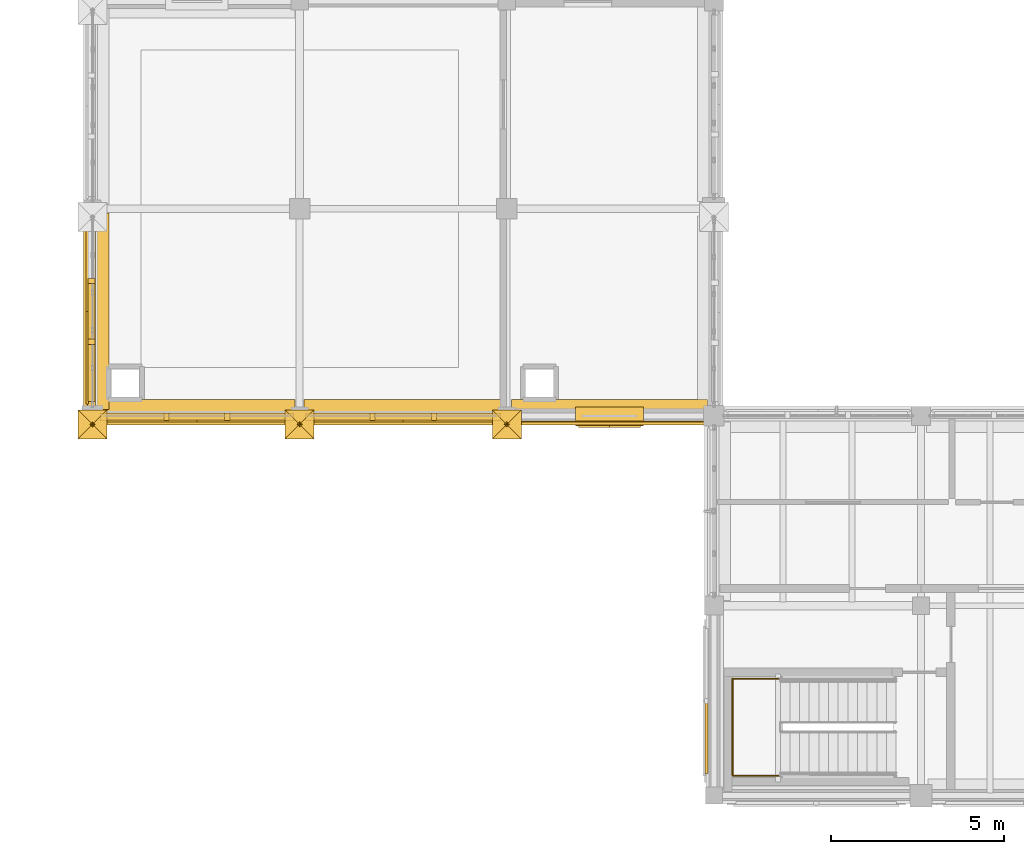
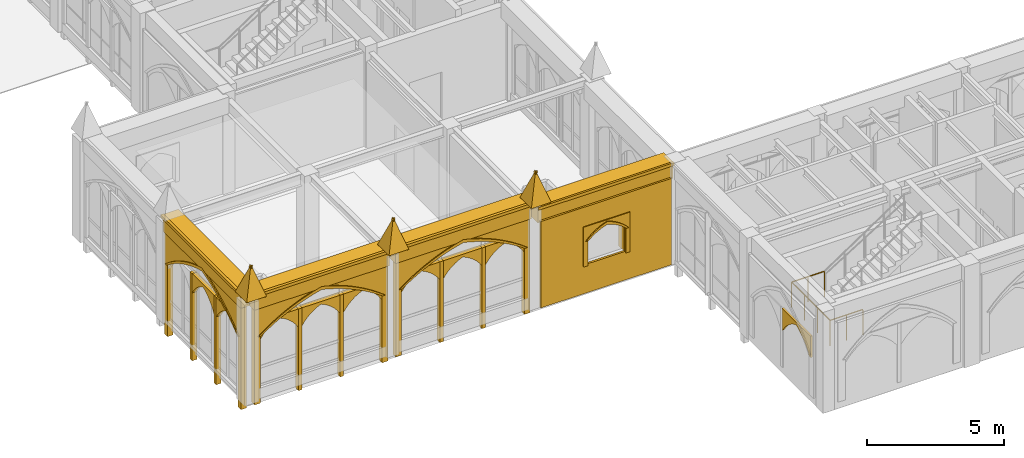
# One storey, part 88 of 127: 44 coverings, 1 railing.
"""IFC4 building model written with IfcOpenShell, lengths in metres."""

from ifc_helpers import new_model, si_unit, direction, frame, origin, origin_2d, place, context, subcontext, project, spatial, polyline, rectangle, circle, outline, extrude, material, type_object, element, save


model = new_model("IFC4")

# Units and contexts
model_context = context("Model", 3, precision=1e-05, world=origin(), true_north=direction((0.0, 1.0)))
body_context = subcontext(model_context, "Body", "Model", "MODEL_VIEW")
ifc_project = project(units=[si_unit("LENGTHUNIT", "METRE"), si_unit("AREAUNIT", "SQUARE_METRE"), si_unit("VOLUMEUNIT", "CUBIC_METRE"), si_unit("PLANEANGLEUNIT", "RADIAN"), si_unit("MASSUNIT", "GRAM", prefix="KILO")], contexts=[model_context])

# Site, building, storey
site_placement = place(None, origin())
site = spatial("IfcSite", under=ifc_project, at=site_placement, CompositionType="ELEMENT")
building_placement = place(site_placement, origin())
building = spatial("IfcBuilding", under=site, at=building_placement, Name="Cumevento Cable Car Station", CompositionType="ELEMENT")
storey_placement = place(building_placement, frame((0.0, 0.0, 4.5)))
storey = spatial("IfcBuildingStorey", under=building, at=storey_placement, Name="L02", CompositionType="ELEMENT", Elevation=4.5)

# Railing
ifc_material_1 = material(Name="Painted Galvanised Architectural Steel", Category="steel")
railing_type = type_object("IfcRailingType", Name="Stair Guardrail GR-S115", PredefinedType="GUARDRAIL", material=ifc_material_1)
railing_placement = place(storey_placement, frame((23.919921875, 4.580078125, 2.25)))
element("IfcRailing", 1, at=railing_placement, inside=storey, type_object=railing_type, Name="Stair Half-Landing Guardrail ST-02-L02", PredefinedType="GUARDRAIL", context=body_context, shape_type="SweptSolid", body=[
    extrude(circle(Radius=0.02392578125, at=origin_2d()), frame((0.0, 0.0, 1.1259765625), z_axis=(-1.0, 0.0, 0.0), x_axis=(0.0, -1.0, 0.0)), (0.0, 0.0, 1.0), 1.3798828125),
    extrude(circle(Radius=0.02392578125, at=origin_2d()), frame((-1.3798828125, 0.0, 1.1259765625), z_axis=(0.0, 1.0, 0.0), x_axis=(-1.0, 0.0, 0.0)), (0.0, 0.0, 1.0), 2.809814453125),
    extrude(circle(Radius=0.02392578125, at=origin_2d()), frame((-1.3798828125, 2.809814453125, 1.1259765625), z_axis=(1.0, 0.0, 0.0), x_axis=(0.0, 1.0, 0.0)), (0.0, 0.0, 1.0), 1.3798828125),
    extrude(circle(Radius=0.02001953125, at=origin_2d()), origin(), (0.0, 0.0, 1.0), 1.101806640625),
    extrude(circle(Radius=0.02001953125, at=origin_2d()), frame((-0.68994140625, 0.0, 0.0)), (0.0, 0.0, 1.0), 1.101806640625),
    extrude(circle(Radius=0.02001953125, at=origin_2d()), frame((-1.3798828125, 0.0, 0.0)), (0.0, 0.0, 1.0), 1.101806640625),
    extrude(circle(Radius=0.02001953125, at=origin_2d()), frame((-1.3798828125, 0.9365234375, 0.0)), (0.0, 0.0, 1.0), 1.101806640625),
    extrude(circle(Radius=0.02001953125, at=origin_2d()), frame((-1.3798828125, 1.873291015625, 0.0)), (0.0, 0.0, 1.0), 1.101806640625),
    extrude(circle(Radius=0.02001953125, at=origin_2d()), frame((-1.3798828125, 2.809814453125, 0.0)), (0.0, 0.0, 1.0), 1.101806640625),
    extrude(circle(Radius=0.02001953125, at=origin_2d()), frame((-0.68994140625, 2.809814453125, 0.0)), (0.0, 0.0, 1.0), 1.101806640625),
    extrude(circle(Radius=0.02001953125, at=origin_2d()), frame((0.0, 2.809814453125, 0.0)), (0.0, 0.0, 1.0), 1.101806640625),
])

# Coverings
ifc_material_2 = material(Name="Gnaisse Facoidal Stone Ashlar 85 MPa", Category="masonry")
covering_type = type_object("IfcCoveringType", Name="Gnaisse Ashlar Cladding CV-CL01", PredefinedType="CLADDING", material=ifc_material_2)
covering_1_placement = place(storey_placement, frame((3.580078125, 15.175048828125, 4.8701171875), z_axis=(0.0, 0.951521464273, 0.307582351618), x_axis=(1.0, 0.0, 0.0)))
element("IfcCovering", 2, at=covering_1_placement, inside=storey, type_object=covering_type, Name="Gothic Buttress Pinnacle Spire Facet 1 bt:4.0:15.0", PredefinedType="CLADDING", context=body_context, shape_type="SweptSolid", body=[
    extrude(outline(polyline([(0.0, 0.0), (0.83984375, 0.0), (0.419921875, -1.3660277106754315), (0.0, 0.0)])), origin(), (0.0, 0.0, -1.0), 0.0849609375),
])
covering_2_placement = place(storey_placement, frame((4.419921875, 15.175048828125, 4.8701171875), z_axis=(0.951573760476, 0.0, 0.30742052367), x_axis=(0.0, -1.0, 0.0)))
element("IfcCovering", 3, at=covering_2_placement, inside=storey, type_object=covering_type, Name="Gothic Buttress Pinnacle Spire Facet 2 bt:4.0:15.0", PredefinedType="CLADDING", context=body_context, shape_type="SweptSolid", body=[
    extrude(outline(polyline([(0.0, 0.0), (0.840087890625, 0.0), (0.420166015625, -1.3659526370817139), (0.0, 0.0)])), origin(), (0.0, 0.0, -1.0), 0.0849609375),
])
covering_3_placement = place(storey_placement, frame((4.419921875, 14.3349609375, 4.8701171875), z_axis=(0.0, -0.951573760476, 0.30742052367), x_axis=(-1.0, 0.0, 0.0)))
element("IfcCovering", 4, at=covering_3_placement, inside=storey, type_object=covering_type, Name="Gothic Buttress Pinnacle Spire Facet 3 bt:4.0:15.0", PredefinedType="CLADDING", context=body_context, shape_type="SweptSolid", body=[
    extrude(outline(polyline([(0.0, 0.0), (0.83984375, 0.0), (0.419921875, -1.3659526370817139), (0.0, 0.0)])), origin(), (0.0, 0.0, -1.0), 0.0849609375),
])
covering_4_placement = place(storey_placement, frame((3.580078125, 14.3349609375, 4.8701171875), z_axis=(-0.951573760476, 0.0, 0.30742052367), x_axis=(0.0, 1.0, 0.0)))
element("IfcCovering", 5, at=covering_4_placement, inside=storey, type_object=covering_type, Name="Gothic Buttress Pinnacle Spire Facet 4 bt:4.0:15.0", PredefinedType="CLADDING", context=body_context, shape_type="SweptSolid", body=[
    extrude(outline(polyline([(0.0, 0.0), (0.840087890625, 0.0), (0.419921875, -1.3659526370817139), (0.0, 0.0)])), origin(), (0.0, 0.0, -1.0), 0.0849609375),
])
covering_5_placement = place(storey_placement, frame((9.580078125, 15.175048828125, 4.8701171875), z_axis=(0.0, 0.951521464273, 0.307582351618), x_axis=(1.0, 0.0, 0.0)))
element("IfcCovering", 6, at=covering_5_placement, inside=storey, type_object=covering_type, Name="Gothic Buttress Pinnacle Spire Facet 1 bt:10.0:15.0", PredefinedType="CLADDING", context=body_context, shape_type="SweptSolid", body=[
    extrude(outline(polyline([(0.0, 0.0), (0.83984375, 0.0), (0.419921875, -1.3660277106754315), (0.0, 0.0)])), origin(), (0.0, 0.0, -1.0), 0.0849609375),
])
covering_6_placement = place(storey_placement, frame((10.419921875, 15.175048828125, 4.8701171875), z_axis=(0.951573760476, 0.0, 0.30742052367), x_axis=(0.0, -1.0, 0.0)))
element("IfcCovering", 7, at=covering_6_placement, inside=storey, type_object=covering_type, Name="Gothic Buttress Pinnacle Spire Facet 2 bt:10.0:15.0", PredefinedType="CLADDING", context=body_context, shape_type="SweptSolid", body=[
    extrude(outline(polyline([(0.0, 0.0), (0.840087890625, 0.0), (0.420166015625, -1.3659526370817139), (0.0, 0.0)])), origin(), (0.0, 0.0, -1.0), 0.0849609375),
])
covering_7_placement = place(storey_placement, frame((10.419921875, 14.3349609375, 4.8701171875), z_axis=(0.0, -0.951573760476, 0.30742052367), x_axis=(-1.0, 0.0, 0.0)))
element("IfcCovering", 8, at=covering_7_placement, inside=storey, type_object=covering_type, Name="Gothic Buttress Pinnacle Spire Facet 3 bt:10.0:15.0", PredefinedType="CLADDING", context=body_context, shape_type="SweptSolid", body=[
    extrude(outline(polyline([(0.0, 0.0), (0.83984375, 0.0), (0.419921875, -1.3659526370817139), (0.0, 0.0)])), origin(), (0.0, 0.0, -1.0), 0.0849609375),
])
covering_8_placement = place(storey_placement, frame((9.580078125, 14.3349609375, 4.8701171875), z_axis=(-0.951573760476, 0.0, 0.30742052367), x_axis=(0.0, 1.0, 0.0)))
element("IfcCovering", 9, at=covering_8_placement, inside=storey, type_object=covering_type, Name="Gothic Buttress Pinnacle Spire Facet 4 bt:10.0:15.0", PredefinedType="CLADDING", context=body_context, shape_type="SweptSolid", body=[
    extrude(outline(polyline([(0.0, 0.0), (0.840087890625, 0.0), (0.419921875, -1.3659526370817139), (0.0, 0.0)])), origin(), (0.0, 0.0, -1.0), 0.0849609375),
])
covering_9_placement = place(storey_placement, frame((15.580078125, 15.175048828125, 4.8701171875), z_axis=(0.0, 0.951521464273, 0.307582351618), x_axis=(1.0, 0.0, 0.0)))
element("IfcCovering", 10, at=covering_9_placement, inside=storey, type_object=covering_type, Name="Gothic Buttress Pinnacle Spire Facet 1 bt:16.0:15.0", PredefinedType="CLADDING", context=body_context, shape_type="SweptSolid", body=[
    extrude(outline(polyline([(0.0, 0.0), (0.83984375, 0.0), (0.419921875, -1.3660277106754315), (0.0, 0.0)])), origin(), (0.0, 0.0, -1.0), 0.0849609375),
])
covering_10_placement = place(storey_placement, frame((16.419921875, 15.175048828125, 4.8701171875), z_axis=(0.951573760476, 0.0, 0.30742052367), x_axis=(0.0, -1.0, 0.0)))
element("IfcCovering", 11, at=covering_10_placement, inside=storey, type_object=covering_type, Name="Gothic Buttress Pinnacle Spire Facet 2 bt:16.0:15.0", PredefinedType="CLADDING", context=body_context, shape_type="SweptSolid", body=[
    extrude(outline(polyline([(0.0, 0.0), (0.840087890625, 0.0), (0.420166015625, -1.3659526370817139), (0.0, 0.0)])), origin(), (0.0, 0.0, -1.0), 0.0849609375),
])
covering_11_placement = place(storey_placement, frame((16.419921875, 14.3349609375, 4.8701171875), z_axis=(0.0, -0.951573760476, 0.30742052367), x_axis=(-1.0, 0.0, 0.0)))
element("IfcCovering", 12, at=covering_11_placement, inside=storey, type_object=covering_type, Name="Gothic Buttress Pinnacle Spire Facet 3 bt:16.0:15.0", PredefinedType="CLADDING", context=body_context, shape_type="SweptSolid", body=[
    extrude(outline(polyline([(0.0, 0.0), (0.83984375, 0.0), (0.419921875, -1.3659526370817139), (0.0, 0.0)])), origin(), (0.0, 0.0, -1.0), 0.0849609375),
])
covering_12_placement = place(storey_placement, frame((15.580078125, 14.3349609375, 4.8701171875), z_axis=(-0.951573760476, 0.0, 0.30742052367), x_axis=(0.0, 1.0, 0.0)))
element("IfcCovering", 13, at=covering_12_placement, inside=storey, type_object=covering_type, Name="Gothic Buttress Pinnacle Spire Facet 4 bt:16.0:15.0", PredefinedType="CLADDING", context=body_context, shape_type="SweptSolid", body=[
    extrude(outline(polyline([(0.0, 0.0), (0.840087890625, 0.0), (0.419921875, -1.3659526370817139), (0.0, 0.0)])), origin(), (0.0, 0.0, -1.0), 0.0849609375),
])
covering_13_placement = place(storey_placement, frame((7.02490234375, 15.14990234375, 4.032958984375), z_axis=(0.0, 0.0, 1.0), x_axis=(-1.0, 0.0, 0.0)))
element("IfcCovering", 14, at=covering_13_placement, inside=storey, type_object=covering_type, Name="Gothic Stone Spandrel Stringcourse sc:0334", PredefinedType="CLADDING", context=body_context, shape_type="SweptSolid", body=[
    extrude(rectangle(XDim=5.68994140625, YDim=0.659912109375, at=origin_2d()), origin(), (0.0, 0.0, 1.0), 0.7470703125),
])
covering_14_placement = place(storey_placement, frame((7.02490234375, 14.79248046875, 4.650146484375), z_axis=(0.0, 0.0, 1.0), x_axis=(-1.0, 0.0, 0.0)))
element("IfcCovering", 15, at=covering_14_placement, inside=storey, type_object=covering_type, Name="Gothic Cornice Dripstone Lip sc:0334", PredefinedType="CLADDING", context=body_context, shape_type="SweptSolid", body=[
    extrude(rectangle(XDim=5.72998046875, YDim=0.114990234375, at=origin_2d()), origin(), (0.0, 0.0, 1.0), 0.1298828125),
])
covering_15_placement = place(storey_placement, frame((13.0, 15.14990234375, 4.032958984375), z_axis=(0.0, 0.0, 1.0), x_axis=(-1.0, 0.0, 0.0)))
element("IfcCovering", 16, at=covering_15_placement, inside=storey, type_object=covering_type, Name="Gothic Stone Spandrel Stringcourse sc:0335", PredefinedType="CLADDING", context=body_context, shape_type="SweptSolid", body=[
    extrude(rectangle(XDim=5.739990234375, YDim=0.659912109375, at=origin_2d()), origin(), (0.0, 0.0, 1.0), 0.7470703125),
])
covering_16_placement = place(storey_placement, frame((13.0, 14.79248046875, 4.650146484375), z_axis=(0.0, 0.0, 1.0), x_axis=(-1.0, 0.0, 0.0)))
element("IfcCovering", 17, at=covering_16_placement, inside=storey, type_object=covering_type, Name="Gothic Cornice Dripstone Lip sc:0335", PredefinedType="CLADDING", context=body_context, shape_type="SweptSolid", body=[
    extrude(rectangle(XDim=5.780029296875, YDim=0.114990234375, at=origin_2d()), origin(), (0.0, 0.0, 1.0), 0.1298828125),
])
covering_17_placement = place(storey_placement, frame((18.97509765625, 15.14990234375, 3.7490234375), z_axis=(0.0, 0.0, 1.0), x_axis=(-1.0, 0.0, 0.0)))
element("IfcCovering", 18, at=covering_17_placement, inside=storey, type_object=covering_type, Name="Gothic Stone Spandrel Stringcourse sc:0336", PredefinedType="CLADDING", context=body_context, shape_type="SweptSolid", body=[
    extrude(rectangle(XDim=5.68994140625, YDim=0.659912109375, at=origin_2d()), origin(), (0.0, 0.0, 1.0), 0.7470703125),
])
covering_18_placement = place(storey_placement, frame((18.97509765625, 14.79248046875, 4.365966796875), z_axis=(0.0, 0.0, 1.0), x_axis=(-1.0, 0.0, 0.0)))
element("IfcCovering", 19, at=covering_18_placement, inside=storey, type_object=covering_type, Name="Gothic Cornice Dripstone Lip sc:0336", PredefinedType="CLADDING", context=body_context, shape_type="SweptSolid", body=[
    extrude(rectangle(XDim=5.72998046875, YDim=0.114990234375, at=origin_2d()), origin(), (0.0, 0.0, 1.0), 0.1298828125),
])
covering_19_placement = place(storey_placement, frame((4.14990234375, 18.02490234375, 4.032958984375), z_axis=(0.0, 0.0, 1.0), x_axis=(0.0, 1.0, 0.0)))
element("IfcCovering", 20, at=covering_19_placement, inside=storey, type_object=covering_type, Name="Gothic Stone Spandrel Stringcourse sc:0338", PredefinedType="CLADDING", context=body_context, shape_type="SweptSolid", body=[
    extrude(rectangle(XDim=5.68994140625, YDim=0.659912109375, at=origin_2d()), origin(), (0.0, 0.0, 1.0), 0.7470703125),
])
covering_20_placement = place(storey_placement, frame((3.79248046875, 18.02490234375, 4.650146484375), z_axis=(0.0, 0.0, 1.0), x_axis=(0.0, 1.0, 0.0)))
element("IfcCovering", 21, at=covering_20_placement, inside=storey, type_object=covering_type, Name="Gothic Cornice Dripstone Lip sc:0338", PredefinedType="CLADDING", context=body_context, shape_type="SweptSolid", body=[
    extrude(rectangle(XDim=5.72998046875, YDim=0.114990234375, at=origin_2d()), origin(), (0.0, 0.0, 1.0), 0.1298828125),
])
placement_1 = place(storey_placement, frame((9.75, 15.0, -0.219970703125), z_axis=(0.0, 0.0, 1.0), x_axis=(-1.0, 0.0, 0.0)))
element("IfcCovering", 22, at=placement_1, inside=storey, type_object=covering_type, Name="Gothic Ogival Pointed-Arch Stone Spandrel cw_ogival:0046", PredefinedType="CLADDING", context=body_context, shape_type="SweptSolid", body=[
    extrude(outline(polyline([(-0.080078125, 0.0), (-0.080078125, 4.39306640625), (5.530029296875, 4.39306640625), (5.530029296875, 0.0), (5.2900390625, 0.0), (5.2900390625, 3.005126953125), (4.998046875, 3.208251953125), (4.696533203125, 3.396728515625), (4.3857421875, 3.570068359375), (4.06689453125, 3.7275390625), (3.740478515625, 3.868896484375), (3.407470703125, 3.99365234375), (3.06884765625, 4.101806640625), (2.72509765625, 4.193115234375), (2.381103515625, 4.101806640625), (2.04248046875, 3.99365234375), (1.70947265625, 3.868896484375), (1.383056640625, 3.7275390625), (1.064208984375, 3.570068359375), (0.75341796875, 3.396728515625), (0.451904296875, 3.208251953125), (0.159912109375, 3.005126953125), (0.159912109375, 0.0), (-0.080078125, 0.0)])), frame((0.0, 0.139892578125, 0.0), z_axis=(0.0, -1.0, 0.0), x_axis=(1.0, 0.0, 0.0)), (0.0, 0.0, 1.0), 0.219970703125),
])
covering_22_placement = place(storey_placement, frame((9.75, 15.0, 2.78515625), z_axis=(0.0, 0.0, 1.0), x_axis=(-1.0, 0.0, 0.0)))
element("IfcCovering", 23, at=covering_22_placement, inside=storey, type_object=covering_type, Name="Gothic Pointed Archivolt Hood Moulding cw_ogival:0046", PredefinedType="CLADDING", context=body_context, shape_type="SweptSolid", body=[
    extrude(outline(polyline([(0.159912109375, 0.0), (0.451904296875, 0.203125), (0.75341796875, 0.3916015625), (1.064208984375, 0.56494140625), (1.383056640625, 0.722412109375), (1.70947265625, 0.86376953125), (2.04248046875, 0.988525390625), (2.381103515625, 1.0966796875), (2.72509765625, 1.18798828125), (3.06884765625, 1.0966796875), (3.407470703125, 0.988525390625), (3.740478515625, 0.86376953125), (4.06689453125, 0.722412109375), (4.3857421875, 0.56494140625), (4.696533203125, 0.3916015625), (4.998046875, 0.203125), (5.2900390625, 0.0), (5.39990234375, 0.0), (5.099609375, 0.22607421875), (4.78759765625, 0.43603515625), (4.465087890625, 0.62890625), (4.1328125, 0.8046875), (3.791748046875, 0.962646484375), (3.442626953125, 1.102294921875), (3.086669921875, 1.223388671875), (2.72509765625, 1.325439453125), (2.36328125, 1.223388671875), (2.00732421875, 1.102294921875), (1.658203125, 0.962646484375), (1.317138671875, 0.8046875), (0.98486328125, 0.62890625), (0.662353515625, 0.43603515625), (0.350341796875, 0.22607421875), (0.050048828125, 0.0), (0.159912109375, 0.0)])), frame((0.0, 0.181884765625, 0.0), z_axis=(0.0, -1.0, 0.0), x_axis=(1.0, 0.0, 0.0)), (0.0, 0.0, 1.0), 0.06689453125),
])
element("IfcCovering", 24, at=placement_1, inside=storey, type_object=covering_type, Name="Gothic Bifora Stone Colonnette cw_ogival:0046 #1", PredefinedType="CLADDING", context=body_context, shape_type="SweptSolid", body=[
    extrude(outline(polyline([(1.77001953125, -0.02001953125), (1.919921875, -0.02001953125), (1.919921875, 3.622802734375), (1.77001953125, 3.622802734375), (1.77001953125, -0.02001953125)])), frame((0.0, 0.1279296875, 0.0), z_axis=(0.0, -1.0, 0.0), x_axis=(1.0, 0.0, 0.0)), (0.0, 0.0, 1.0), 0.205078125),
])
element("IfcCovering", 25, at=placement_1, inside=storey, type_object=covering_type, Name="Gothic Bifora Stone Colonnette cw_ogival:0046 #2", PredefinedType="CLADDING", context=body_context, shape_type="SweptSolid", body=[
    extrude(outline(polyline([(3.530029296875, -0.02001953125), (3.679931640625, -0.02001953125), (3.679931640625, 3.622802734375), (3.530029296875, 3.622802734375), (3.530029296875, -0.02001953125)])), frame((0.0, 0.1279296875, 0.0), z_axis=(0.0, -1.0, 0.0), x_axis=(1.0, 0.0, 0.0)), (0.0, 0.0, 1.0), 0.205078125),
])
for number, where, z_axis, x_axis, name in (
    (26, (9.6201171875, 15.0, 2.60498046875), (0.0, 0.0, 1.0), (-1.0, 0.0, 0.0), "Gothic Ogival Pointed-Arch Stone Spandrel cw_ogival:0046:sub:0"),
    (27, (7.860107421875, 15.0, 2.60498046875), (0.0, 0.0, 1.0), (-1.0, 0.0, 0.0), "Gothic Ogival Pointed-Arch Stone Spandrel cw_ogival:0046:sub:1"),
    (28, (6.10009765625, 15.0, 2.60498046875), (0.0, 0.0, 1.0), (-1.0, 0.0, 0.0), "Gothic Ogival Pointed-Arch Stone Spandrel cw_ogival:0046:sub:2"),
):
    element("IfcCovering", number, at=place(storey_placement, frame(where, z_axis=z_axis, x_axis=x_axis)), inside=storey, type_object=covering_type, Name=name, PredefinedType="CLADDING", context=body_context, shape_type="SweptSolid", body=[
        extrude(outline(polyline([(-0.02001953125, 0.0), (-0.02001953125, 0.797607421875), (1.68994140625, 0.797607421875), (1.68994140625, 0.0), (1.6298828125, 0.0), (1.53076171875, 0.146728515625), (1.416259765625, 0.281982421875), (1.287841796875, 0.404052734375), (1.147216796875, 0.511474609375), (0.99560546875, 0.60302734375), (0.8349609375, 0.677734375), (0.67431640625, 0.60302734375), (0.522705078125, 0.511474609375), (0.382080078125, 0.404052734375), (0.253662109375, 0.281982421875), (0.13916015625, 0.146728515625), (0.0400390625, 0.0), (-0.02001953125, 0.0)])), frame((0.0, 0.1240234375, 0.0), z_axis=(0.0, -1.0, 0.0), x_axis=(1.0, 0.0, 0.0)), (0.0, 0.0, 1.0), 0.199951171875),
    ])
placement_2 = place(storey_placement, frame((15.75, 15.0, -0.159912109375), z_axis=(0.0, 0.0, 1.0), x_axis=(-1.0, 0.0, 0.0)))
element("IfcCovering", 29, at=placement_2, inside=storey, type_object=covering_type, Name="Gothic Ogival Pointed-Arch Stone Spandrel cw_ogival:0047", PredefinedType="CLADDING", context=body_context, shape_type="SweptSolid", body=[
    extrude(outline(polyline([(-0.080078125, 0.0), (-0.080078125, 4.3330078125), (5.580078125, 4.3330078125), (5.580078125, 0.0), (5.340087890625, 0.0), (5.340087890625, 2.966796875), (5.043701171875, 3.16650390625), (4.73828125, 3.351806640625), (4.424072265625, 3.521484375), (4.10205078125, 3.67626953125), (3.772705078125, 3.815185546875), (3.43701171875, 3.9375), (3.095947265625, 4.043701171875), (2.75, 4.133056640625), (2.404052734375, 4.043701171875), (2.06298828125, 3.9375), (1.727294921875, 3.815185546875), (1.39794921875, 3.67626953125), (1.075927734375, 3.521484375), (0.76171875, 3.351806640625), (0.456298828125, 3.16650390625), (0.159912109375, 2.966796875), (0.159912109375, 0.0), (-0.080078125, 0.0)])), frame((0.0, 0.139892578125, 0.0), z_axis=(0.0, -1.0, 0.0), x_axis=(1.0, 0.0, 0.0)), (0.0, 0.0, 1.0), 0.219970703125),
])
covering_26_placement = place(storey_placement, frame((15.75, 15.0, 2.806640625), z_axis=(0.0, 0.0, 1.0), x_axis=(-1.0, 0.0, 0.0)))
element("IfcCovering", 30, at=covering_26_placement, inside=storey, type_object=covering_type, Name="Gothic Pointed Archivolt Hood Moulding cw_ogival:0047", PredefinedType="CLADDING", context=body_context, shape_type="SweptSolid", body=[
    extrude(outline(polyline([(0.159912109375, 0.0), (0.456298828125, 0.19970703125), (0.76171875, 0.385009765625), (1.075927734375, 0.554931640625), (1.39794921875, 0.70947265625), (1.727294921875, 0.848388671875), (2.06298828125, 0.970947265625), (2.404052734375, 1.076904296875), (2.75, 1.166259765625), (3.095947265625, 1.076904296875), (3.43701171875, 0.970947265625), (3.772705078125, 0.848388671875), (4.10205078125, 0.70947265625), (4.424072265625, 0.554931640625), (4.73828125, 0.385009765625), (5.043701171875, 0.19970703125), (5.340087890625, 0.0), (5.449951171875, 0.0), (5.145263671875, 0.22265625), (4.829345703125, 0.42919921875), (4.503173828125, 0.619140625), (4.167724609375, 0.7919921875), (3.82373046875, 0.947265625), (3.47216796875, 1.084716796875), (3.11376953125, 1.20361328125), (2.75, 1.3037109375), (2.38623046875, 1.20361328125), (2.02783203125, 1.084716796875), (1.67626953125, 0.947265625), (1.332275390625, 0.7919921875), (0.996826171875, 0.619140625), (0.670654296875, 0.42919921875), (0.354736328125, 0.22265625), (0.050048828125, 0.0), (0.159912109375, 0.0)])), frame((0.0, 0.181884765625, 0.0), z_axis=(0.0, -1.0, 0.0), x_axis=(1.0, 0.0, 0.0)), (0.0, 0.0, 1.0), 0.06689453125),
])
element("IfcCovering", 31, at=placement_2, inside=storey, type_object=covering_type, Name="Gothic Bifora Stone Colonnette cw_ogival:0047 #1", PredefinedType="CLADDING", context=body_context, shape_type="SweptSolid", body=[
    extrude(outline(polyline([(1.78662109375, -0.02001953125), (1.936767578125, -0.02001953125), (1.936767578125, 3.5732421875), (1.78662109375, 3.5732421875), (1.78662109375, -0.02001953125)])), frame((0.0, 0.1279296875, 0.0), z_axis=(0.0, -1.0, 0.0), x_axis=(1.0, 0.0, 0.0)), (0.0, 0.0, 1.0), 0.205078125),
])
element("IfcCovering", 32, at=placement_2, inside=storey, type_object=covering_type, Name="Gothic Bifora Stone Colonnette cw_ogival:0047 #2", PredefinedType="CLADDING", context=body_context, shape_type="SweptSolid", body=[
    extrude(outline(polyline([(3.563232421875, -0.02001953125), (3.71337890625, -0.02001953125), (3.71337890625, 3.5732421875), (3.563232421875, 3.5732421875), (3.563232421875, -0.02001953125)])), frame((0.0, 0.1279296875, 0.0), z_axis=(0.0, -1.0, 0.0), x_axis=(1.0, 0.0, 0.0)), (0.0, 0.0, 1.0), 0.205078125),
])
for number, where, z_axis, x_axis, name in (
    (33, (15.6201171875, 15.0, 2.626708984375), (0.0, 0.0, 1.0), (-1.0, 0.0, 0.0), "Gothic Ogival Pointed-Arch Stone Spandrel cw_ogival:0047:sub:0"),
    (34, (13.84326171875, 15.0, 2.626708984375), (0.0, 0.0, 1.0), (-1.0, 0.0, 0.0), "Gothic Ogival Pointed-Arch Stone Spandrel cw_ogival:0047:sub:1"),
    (35, (12.066650390625, 15.0, 2.626708984375), (0.0, 0.0, 1.0), (-1.0, 0.0, 0.0), "Gothic Ogival Pointed-Arch Stone Spandrel cw_ogival:0047:sub:2"),
):
    element("IfcCovering", number, at=place(storey_placement, frame(where, z_axis=z_axis, x_axis=x_axis)), inside=storey, type_object=covering_type, Name=name, PredefinedType="CLADDING", context=body_context, shape_type="SweptSolid", body=[
        extrude(outline(polyline([(-0.02001953125, 0.0), (-0.02001953125, 0.78662109375), (1.706787109375, 0.78662109375), (1.706787109375, 0.0), (1.646728515625, 0.0), (1.545166015625, 0.144775390625), (1.428466796875, 0.27783203125), (1.298583984375, 0.397705078125), (1.15673828125, 0.50341796875), (1.00439453125, 0.59326171875), (0.84326171875, 0.66650390625), (0.682373046875, 0.59326171875), (0.530029296875, 0.50341796875), (0.38818359375, 0.397705078125), (0.25830078125, 0.27783203125), (0.1416015625, 0.144775390625), (0.0400390625, 0.0), (-0.02001953125, 0.0)])), frame((0.0, 0.1240234375, 0.0), z_axis=(0.0, -1.0, 0.0), x_axis=(1.0, 0.0, 0.0)), (0.0, 0.0, 1.0), 0.199951171875),
    ])
placement_3 = place(storey_placement, frame((4.0, 15.300048828125, -0.52001953125), z_axis=(0.0, 0.0, 1.0), x_axis=(0.0, 1.0, 0.0)))
element("IfcCovering", 36, at=placement_3, inside=storey, type_object=covering_type, Name="Gothic Ogival Pointed-Arch Stone Spandrel cw_ogival:0048", PredefinedType="CLADDING", context=body_context, shape_type="SweptSolid", body=[
    extrude(outline(polyline([(-0.080078125, 0.0), (-0.080078125, 4.693115234375), (5.530029296875, 4.693115234375), (5.530029296875, 0.0), (5.2900390625, 0.0), (5.2900390625, 3.197021484375), (5.003173828125, 3.417724609375), (4.704833984375, 3.622802734375), (4.39599609375, 3.811767578125), (4.077392578125, 3.9833984375), (3.75, 4.137939453125), (3.414794921875, 4.274658203125), (3.07275390625, 4.39306640625), (2.72509765625, 4.492919921875), (2.377197265625, 4.39306640625), (2.03515625, 4.274658203125), (1.699951171875, 4.137939453125), (1.37255859375, 3.9833984375), (1.053955078125, 3.811767578125), (0.7451171875, 3.622802734375), (0.44677734375, 3.417724609375), (0.159912109375, 3.197021484375), (0.159912109375, 0.0), (-0.080078125, 0.0)])), frame((0.0, 0.139892578125, 0.0), z_axis=(0.0, -1.0, 0.0), x_axis=(1.0, 0.0, 0.0)), (0.0, 0.0, 1.0), 0.219970703125),
])
covering_30_placement = place(storey_placement, frame((4.0, 15.300048828125, 2.677001953125), z_axis=(0.0, 0.0, 1.0), x_axis=(0.0, 1.0, 0.0)))
element("IfcCovering", 37, at=covering_30_placement, inside=storey, type_object=covering_type, Name="Gothic Pointed Archivolt Hood Moulding cw_ogival:0048", PredefinedType="CLADDING", context=body_context, shape_type="SweptSolid", body=[
    extrude(outline(polyline([(0.159912109375, 0.0), (0.44677734375, 0.220703125), (0.7451171875, 0.42578125), (1.053955078125, 0.61474609375), (1.37255859375, 0.786376953125), (1.699951171875, 0.94091796875), (2.03515625, 1.07763671875), (2.377197265625, 1.196044921875), (2.72509765625, 1.2958984375), (3.07275390625, 1.196044921875), (3.414794921875, 1.07763671875), (3.75, 0.94091796875), (4.077392578125, 0.786376953125), (4.39599609375, 0.61474609375), (4.704833984375, 0.42578125), (5.003173828125, 0.220703125), (5.2900390625, 0.0), (5.39990234375, 0.0), (5.10498046875, 0.243408203125), (4.796630859375, 0.469970703125), (4.475830078125, 0.678466796875), (4.143798828125, 0.86865234375), (3.8017578125, 1.039794921875), (3.450439453125, 1.191162109375), (3.091064453125, 1.322509765625), (2.72509765625, 1.433349609375), (2.35888671875, 1.322509765625), (1.99951171875, 1.191162109375), (1.648193359375, 1.039794921875), (1.30615234375, 0.86865234375), (0.97412109375, 0.678466796875), (0.6533203125, 0.469970703125), (0.344970703125, 0.243408203125), (0.050048828125, 0.0), (0.159912109375, 0.0)])), frame((0.0, 0.181884765625, 0.0), z_axis=(0.0, -1.0, 0.0), x_axis=(1.0, 0.0, 0.0)), (0.0, 0.0, 1.0), 0.06689453125),
])
element("IfcCovering", 38, at=placement_3, inside=storey, type_object=covering_type, Name="Gothic Bifora Stone Colonnette cw_ogival:0048 #1", PredefinedType="CLADDING", context=body_context, shape_type="SweptSolid", body=[
    extrude(outline(polyline([(1.77001953125, -0.02001953125), (1.919921875, -0.02001953125), (1.919921875, 3.87109375), (1.77001953125, 3.87109375), (1.77001953125, -0.02001953125)])), frame((0.0, 0.1279296875, 0.0), z_axis=(0.0, -1.0, 0.0), x_axis=(1.0, 0.0, 0.0)), (0.0, 0.0, 1.0), 0.205078125),
])
element("IfcCovering", 39, at=placement_3, inside=storey, type_object=covering_type, Name="Gothic Bifora Stone Colonnette cw_ogival:0048 #2", PredefinedType="CLADDING", context=body_context, shape_type="SweptSolid", body=[
    extrude(outline(polyline([(3.530029296875, -0.02001953125), (3.679931640625, -0.02001953125), (3.679931640625, 3.87109375), (3.530029296875, 3.87109375), (3.530029296875, -0.02001953125)])), frame((0.0, 0.1279296875, 0.0), z_axis=(0.0, -1.0, 0.0), x_axis=(1.0, 0.0, 0.0)), (0.0, 0.0, 1.0), 0.205078125),
])
for number, where, z_axis, x_axis, name in (
    (40, (4.0, 15.429931640625, 2.4970703125), (0.0, 0.0, 1.0), (0.0, 1.0, 0.0), "Gothic Ogival Pointed-Arch Stone Spandrel cw_ogival:0048:sub:0"),
    (41, (4.0, 17.18994140625, 2.4970703125), (0.0, 0.0, 1.0), (0.0, 1.0, 0.0), "Gothic Ogival Pointed-Arch Stone Spandrel cw_ogival:0048:sub:1"),
):
    element("IfcCovering", number, at=place(storey_placement, frame(where, z_axis=z_axis, x_axis=x_axis)), inside=storey, type_object=covering_type, Name=name, PredefinedType="CLADDING", context=body_context, shape_type="SweptSolid", body=[
        extrude(outline(polyline([(-0.02001953125, 0.0), (-0.02001953125, 0.85400390625), (1.68994140625, 0.85400390625), (1.68994140625, 0.0), (1.6298828125, 0.0), (1.535400390625, 0.15771484375), (1.423583984375, 0.303466796875), (1.2958984375, 0.435791015625), (1.154052734375, 0.552490234375), (0.999755859375, 0.65234375), (0.8349609375, 0.73388671875), (0.670166015625, 0.65234375), (0.515869140625, 0.552490234375), (0.3740234375, 0.435791015625), (0.246337890625, 0.303466796875), (0.134521484375, 0.15771484375), (0.0400390625, 0.0), (-0.02001953125, 0.0)])), frame((0.0, 0.1240234375, 0.0), z_axis=(0.0, -1.0, 0.0), x_axis=(1.0, 0.0, 0.0)), (0.0, 0.0, 1.0), 0.199951171875),
    ])
covering_33_placement = place(storey_placement, frame((22.0, 4.659912109375, 1.952880859375), z_axis=(0.0, 0.0, 1.0), x_axis=(0.0, 1.0, 0.0)))
element("IfcCovering", 42, at=covering_33_placement, inside=storey, type_object=covering_type, Name="Gothic Ogival Pointed-Arch Stone Spandrel blind_ogival:0175:sub:0", PredefinedType="CLADDING", context=body_context, shape_type="SweptSolid", body=[
    extrude(outline(polyline([(-0.02001953125, 0.0), (-0.02001953125, 0.9580078125), (2.052490234375, 0.9580078125), (2.052490234375, 0.0), (1.992431640625, 0.0), (1.87109375, 0.181396484375), (1.73095703125, 0.348388671875), (1.5732421875, 0.499267578125), (1.400390625, 0.632080078125), (1.2138671875, 0.74560546875), (1.016357421875, 0.837890625), (0.818603515625, 0.74560546875), (0.632080078125, 0.632080078125), (0.459228515625, 0.499267578125), (0.301513671875, 0.348388671875), (0.161376953125, 0.181396484375), (0.0400390625, 0.0), (-0.02001953125, 0.0)])), frame((0.0, 0.261474609375, 0.0), z_axis=(0.0, -1.0, 0.0), x_axis=(1.0, 0.0, 0.0)), (0.0, 0.0, 1.0), 0.090087890625),
])
covering_34_placement = place(storey_placement, frame((21.699951171875, 15.0, 0.0), z_axis=(0.0, 0.0, 1.0), x_axis=(-1.0, 0.0, 0.0)))
element("IfcCovering", 43, at=covering_34_placement, inside=storey, type_object=covering_type, Name="Exterior Gnaisse Stone Wall Ashlar #190", PredefinedType="CLADDING", context=body_context, shape_type="SweptSolid", body=[
    extrude(outline(polyline([(-0.0400390625, -0.02001953125), (5.489990234375, -0.02001953125), (5.489990234375, 3.8291015625), (-0.0400390625, 3.8291015625), (-0.0400390625, -0.02001953125)]), holes=[polyline([(1.93505859375, 1.260009765625), (3.514892578125, 1.260009765625), (3.514892578125, 2.739990234375), (1.93505859375, 2.739990234375), (1.93505859375, 1.260009765625)])]), frame((0.0, 0.260009765625, 0.0), z_axis=(0.0, -1.0, 0.0), x_axis=(1.0, 0.0, 0.0)), (0.0, 0.0, 1.0), 0.0849609375),
])
covering_35_placement = place(storey_placement, frame((19.9150390625, 15.0, 1.199951171875), z_axis=(0.0, 0.0, 1.0), x_axis=(-1.0, 0.0, 0.0)))
element("IfcCovering", 44, at=covering_35_placement, inside=storey, type_object=covering_type, Name="Gothic Ogival Pointed-Arch Stone Spandrel op_ogival:0190:1", PredefinedType="CLADDING", context=body_context, shape_type="SweptSolid", body=[
    extrude(outline(polyline([(-0.0400390625, 0.0), (-0.0400390625, 1.77001953125), (1.919921875, 1.77001953125), (1.919921875, 0.0), (1.739990234375, 0.0), (1.739990234375, 1.1298828125), (1.640380859375, 1.218505859375), (1.535400390625, 1.2998046875), (1.4248046875, 1.3740234375), (1.309326171875, 1.440185546875), (1.189697265625, 1.498779296875), (1.06640625, 1.548583984375), (0.93994140625, 1.590087890625), (0.8134765625, 1.548583984375), (0.690185546875, 1.498779296875), (0.570556640625, 1.440185546875), (0.455078125, 1.3740234375), (0.344482421875, 1.2998046875), (0.239501953125, 1.218505859375), (0.139892578125, 1.1298828125), (0.139892578125, 0.0), (-0.0400390625, 0.0)])), frame((0.0, 0.298095703125, 0.0), z_axis=(0.0, -1.0, 0.0), x_axis=(1.0, 0.0, 0.0)), (0.0, 0.0, 1.0), 0.550048828125),
])
covering_36_placement = place(storey_placement, frame((19.9150390625, 15.0, 2.330078125), z_axis=(0.0, 0.0, 1.0), x_axis=(-1.0, 0.0, 0.0)))
element("IfcCovering", 45, at=covering_36_placement, inside=storey, type_object=covering_type, Name="Gothic Pointed Archivolt Hood Moulding op_ogival:0190:1", PredefinedType="CLADDING", context=body_context, shape_type="SweptSolid", body=[
    extrude(outline(polyline([(0.139892578125, 0.0), (0.239501953125, 0.088623046875), (0.344482421875, 0.169921875), (0.455078125, 0.244140625), (0.570556640625, 0.310302734375), (0.690185546875, 0.36865234375), (0.8134765625, 0.418701171875), (0.93994140625, 0.4599609375), (1.06640625, 0.418701171875), (1.189697265625, 0.36865234375), (1.309326171875, 0.310302734375), (1.4248046875, 0.244140625), (1.535400390625, 0.169921875), (1.640380859375, 0.088623046875), (1.739990234375, 0.0), (1.839111328125, 0.0), (1.731201171875, 0.111328125), (1.615478515625, 0.21435546875), (1.492431640625, 0.308349609375), (1.362548828125, 0.392822265625), (1.2265625, 0.467041015625), (1.08544921875, 0.53076171875), (0.93994140625, 0.583740234375), (0.79443359375, 0.53076171875), (0.6533203125, 0.467041015625), (0.517333984375, 0.392822265625), (0.387451171875, 0.308349609375), (0.264404296875, 0.21435546875), (0.148681640625, 0.111328125), (0.041015625, 0.0), (0.139892578125, 0.0)])), frame((0.0, 0.340087890625, 0.0), z_axis=(0.0, -1.0, 0.0), x_axis=(1.0, 0.0, 0.0)), (0.0, 0.0, 1.0), 0.06689453125),
])

save(model, "model.ifc")
